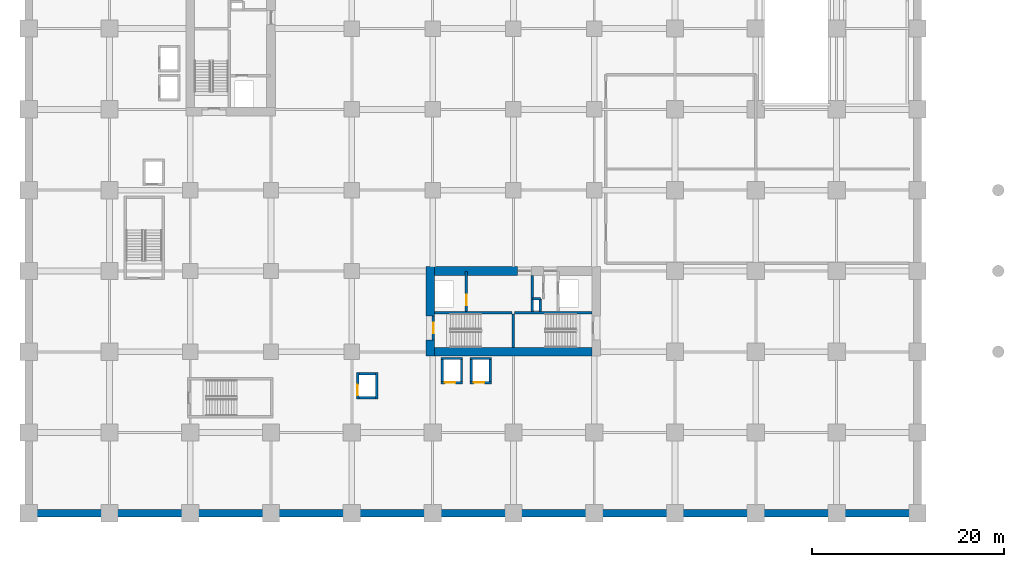
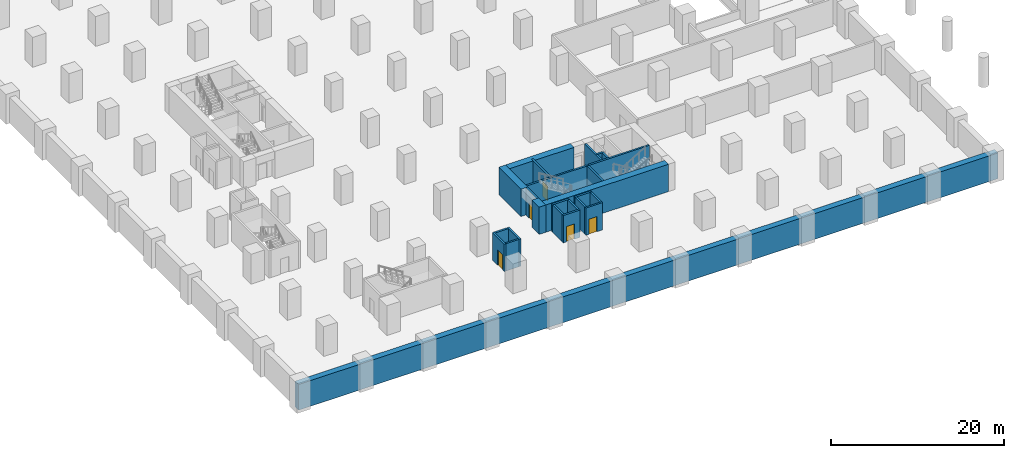
# One storey, part 6 of 13: 25 walls, 5 doors, 5 openings.
"""IFC4 building model written with IfcOpenShell, lengths in metres."""

from ifc_helpers import new_model, si_unit, direction, frame, frame_2d, origin, place, context, subcontext, project, spatial, rectangle, extrude, material, layer, layer_set, type_object, element, fill, save


model = new_model("IFC4")

# Units and contexts
model_context = context("Model", 3, precision=1e-05, world=origin(), true_north=direction((0.0, 1.0)))
body_context = subcontext(model_context, "Body", "Model", "MODEL_VIEW")
ifc_project = project(units=[si_unit("LENGTHUNIT", "METRE"), si_unit("AREAUNIT", "SQUARE_METRE"), si_unit("VOLUMEUNIT", "CUBIC_METRE"), si_unit("PLANEANGLEUNIT", "RADIAN"), si_unit("MASSUNIT", "GRAM", prefix="KILO")], contexts=[model_context])

# Site, building, storey
site_placement = place(None, origin())
site = spatial("IfcSite", under=ifc_project, at=site_placement, CompositionType="ELEMENT")
building_placement = place(site_placement, origin())
building = spatial("IfcBuilding", under=site, at=building_placement, Name="Koriwani Terraces Tower", CompositionType="ELEMENT")
storey_placement = place(building_placement, frame((0.0, 0.0, -4.199951171875)))
storey = spatial("IfcBuildingStorey", under=building, at=storey_placement, Name="B01", CompositionType="ELEMENT", Elevation=-4.199951171875)

# Walls
ifc_material_1 = material(Name="Concrete C50/60", Category="concrete")
ifc_layer_1 = layer(ifc_material_1, 0.800048828125, Name="Concrete C50/60")
ifc_layer_set_1 = layer_set([ifc_layer_1], Name="Concrete C50/60")
wall_type_1 = type_object("IfcWallType", Name="WALL_BASEMENT_RET_800", PredefinedType="USERDEFINED", material=ifc_layer_set_1)
wall_1_placement = place(storey_placement, frame((-0.39990234375, 0.0, 0.0), z_axis=(0.0, 0.0, 1.0), x_axis=(1.0, 0.0, 0.0)))
element("IfcWall", 1, at=wall_1_placement, inside=storey, type_object=wall_type_1, Name="B01 Perimeter Retaining Wall (S)", ObjectType="RETAININGWALL", PredefinedType="USERDEFINED", context=body_context, shape_type="SweptSolid", body=[
    extrude(rectangle(XDim=93.199951171875, YDim=0.800048828125, at=frame_2d((46.60009765625, 0.0))), origin(), (0.0, 0.0, 1.0), 3.619873046875),
])
ifc_material_2 = material(Name="Concrete C60/75", Category="concrete")
ifc_layer_2 = layer(ifc_material_2, 0.89990234375, Name="Concrete C60/75")
ifc_layer_set_2 = layer_set([ifc_layer_2], Name="Concrete C60/75")
wall_type_2 = type_object("IfcWallType", Name="WALL_CORE_RC_900", PredefinedType="SHEAR", material=ifc_layer_set_2)
wall_2_placement = place(storey_placement, frame((41.75, 16.35009765625, 0.0), z_axis=(0.0, 0.0, 1.0), x_axis=(0.0, 1.0, 0.0)))
element("IfcWall", 2, at=wall_2_placement, inside=storey, type_object=wall_type_2, Name="B01 East Split Core Shear Wall W1", PredefinedType="SHEAR", context=body_context, shape_type="SweptSolid", body=[
    extrude(rectangle(XDim=1.64990234375, YDim=0.89990234375, at=frame_2d((0.824951171875, 0.0))), origin(), (0.0, 0.0, 1.0), 3.849853515625),
])
wall_3_placement = place(storey_placement, frame((41.75, 20.5, 0.0), z_axis=(0.0, 0.0, 1.0), x_axis=(0.0, 1.0, 0.0)))
element("IfcWall", 3, at=wall_3_placement, inside=storey, type_object=wall_type_2, Name="B01 East Split Core Shear Wall W2", PredefinedType="SHEAR", context=body_context, shape_type="SweptSolid", body=[
    extrude(rectangle(XDim=5.14990234375, YDim=0.89990234375, at=frame_2d((2.574951171875, 0.0))), origin(), (0.0, 0.0, 1.0), 3.849853515625),
])
wall_4_placement = place(storey_placement, frame((42.199951171875, 16.800048828125, 0.0), z_axis=(0.0, 0.0, 1.0), x_axis=(1.0, 0.0, 0.0)))
element("IfcWall", 4, at=wall_4_placement, inside=storey, type_object=wall_type_2, Name="B01 East Split Core Shear Wall S1", PredefinedType="SHEAR", context=body_context, shape_type="SweptSolid", body=[
    extrude(rectangle(XDim=16.35009765625, YDim=0.89990234375, at=frame_2d((8.175048828125, 0.0))), origin(), (0.0, 0.0, 1.0), 3.849853515625),
])
wall_5_placement = place(storey_placement, frame((42.199951171875, 25.199951171875, 0.0), z_axis=(0.0, 0.0, 1.0), x_axis=(1.0, 0.0, 0.0)))
element("IfcWall", 5, at=wall_5_placement, inside=storey, type_object=wall_type_2, Name="B01 East Split Core Shear Wall N1", PredefinedType="SHEAR", context=body_context, shape_type="SweptSolid", body=[
    extrude(rectangle(XDim=8.60009765625, YDim=0.89990234375, at=frame_2d((4.300048828125, 0.0))), origin(), (0.0, 0.0, 1.0), 3.849853515625),
])
ifc_material_3 = material(Name="Concrete C40/50", Category="concrete")
ifc_layer_3 = layer(ifc_material_3, 0.25, Name="Concrete C40/50")
ifc_layer_set_3 = layer_set([ifc_layer_3], Name="Concrete C40/50")
wall_type_3 = type_object("IfcWallType", Name="WALL_SHAFT_RATED_250", PredefinedType="SOLIDWALL", material=ifc_layer_set_3)
for number, where, z_axis, x_axis, name in (
    (6, (42.199951171875, 20.875, 0.0), (0.0, 0.0, 1.0), (1.0, 0.0, 0.0), "B01 East Split Core Web Wall MID1"),
    (7, (50.5, 20.875, 0.0), (0.0, 0.0, 1.0), (1.0, 0.0, 0.0), "B01 East Split Core Web Wall MID2"),
):
    element("IfcWall", number, at=place(storey_placement, frame(where, z_axis=z_axis, x_axis=x_axis)), inside=storey, type_object=wall_type_3, Name=name, PredefinedType="SOLIDWALL", context=body_context, shape_type="SweptSolid", body=[
        extrude(rectangle(XDim=8.050048828125, YDim=0.25, at=frame_2d((4.02490234375, 0.0))), origin(), (0.0, 0.0, 1.0), 3.849853515625),
    ])
wall_6_placement = place(storey_placement, frame((50.375, 17.25, 0.0), z_axis=(0.0, 0.0, 1.0), x_axis=(0.0, 1.0, 0.0)))
element("IfcWall", 8, at=wall_6_placement, inside=storey, type_object=wall_type_3, Name="B01 East Split Core Stair Dividing Wall", PredefinedType="SOLIDWALL", context=body_context, shape_type="SweptSolid", body=[
    extrude(rectangle(XDim=3.5, YDim=0.25, at=frame_2d((1.75, 0.0))), origin(), (0.0, 0.0, 1.0), 3.849853515625),
])

# Wall, opening, door
wall_7_placement = place(storey_placement, frame((42.074951171875, 18.0, 0.0), z_axis=(0.0, 0.0, 1.0), x_axis=(0.0, 1.0, 0.0)))
wall_7 = element("IfcWall", 9, at=wall_7_placement, inside=storey, type_object=wall_type_3, Name="B01 Interior Wall WIN-CE-B01-STW", PredefinedType="SOLIDWALL", context=body_context, shape_type="SweptSolid", body=[
    extrude(rectangle(XDim=2.5, YDim=0.25, at=frame_2d((1.25, 0.0))), origin(), (0.0, 0.0, 1.0), 3.849853515625),
])
opening_1_placement = place(wall_7_placement, frame((0.699951171875, 0.0, 0.0)))
opening_1 = element("IfcOpeningElement", 10, at=opening_1_placement, cuts=wall_7, Name="Opening D-03", PredefinedType="OPENING", context=body_context, shape_type="SweptSolid", body=[
    extrude(rectangle(XDim=1.10009765625, YDim=2.14990234375, at=frame_2d((0.550048828125, 1.074951171875))), frame((0.0, 0.135009765625, 0.0), z_axis=(0.0, -1.0, 0.0), x_axis=(1.0, 0.0, 0.0)), (0.0, 0.0, 1.0), 0.27001953125),
])
ifc_material_4 = material(Name="Steel ASTM A572 Grade 50", Category="steel")
door_type_1 = type_object("IfcDoorType", Name="DOOR_STAIR_FIRE_1100X2150", OperationType="NOTDEFINED", PredefinedType="DOOR", material=ifc_material_4)
door_1_placement = place(opening_1_placement, origin())
door_1 = element("IfcDoor", 11, at=door_1_placement, inside=storey, type_object=door_type_1, Name="B01 Exit Stair ST-E1 Door", OperationType="SINGLE_SWING_RIGHT", OverallHeight=2.14990234375, OverallWidth=1.10009765625, PredefinedType="DOOR", context=body_context, shape_type="SweptSolid", body=[
    extrude(rectangle(XDim=1.10009765625, YDim=2.14990234375, at=frame_2d((0.550048828125, 1.074951171875))), frame((0.0, 0.02490234375, 0.0), z_axis=(0.0, -1.0, 0.0), x_axis=(1.0, 0.0, 0.0)), (0.0, 0.0, 1.0), 0.050048828125),
])
fill(opening_1, door_1)

wall_8_placement = place(storey_placement, frame((45.5, 21.0, 0.0), z_axis=(0.0, 0.0, 1.0), x_axis=(0.0, 1.0, 0.0)))
wall_8 = element("IfcWall", 12, at=wall_8_placement, inside=storey, type_object=wall_type_3, Name="B01 Interior Wall WIN-CE-B01-FE", PredefinedType="SOLIDWALL", context=body_context, shape_type="SweptSolid", body=[
    extrude(rectangle(XDim=4.14990234375, YDim=0.25, at=frame_2d((2.074951171875, 0.0))), origin(), (0.0, 0.0, 1.0), 3.849853515625),
])
opening_2_placement = place(wall_8_placement, frame((0.64990234375, 0.0, 0.0)))
opening_2 = element("IfcOpeningElement", 13, at=opening_2_placement, cuts=wall_8, Name="Opening LD-01", PredefinedType="OPENING", context=body_context, shape_type="SweptSolid", body=[
    extrude(rectangle(XDim=1.10009765625, YDim=2.14990234375, at=frame_2d((0.550048828125, 1.074951171875))), frame((0.0, 0.135009765625, 0.0), z_axis=(0.0, -1.0, 0.0), x_axis=(1.0, 0.0, 0.0)), (0.0, 0.0, 1.0), 0.27001953125),
])
door_type_2 = type_object("IfcDoorType", Name="DOOR_LIFT_LANDING_1100X2200", OperationType="NOTDEFINED", PredefinedType="DOOR", material=ifc_material_4)
door_2_placement = place(opening_2_placement, origin())
door_2 = element("IfcDoor", 14, at=door_2_placement, inside=storey, type_object=door_type_2, Name="B01 Firefighting Lift FE-02 Landing Door", OperationType="SLIDING_TO_LEFT", OverallHeight=2.14990234375, OverallWidth=1.10009765625, PredefinedType="DOOR", context=body_context, shape_type="SweptSolid", body=[
    extrude(rectangle(XDim=1.10009765625, YDim=2.14990234375, at=frame_2d((0.550048828125, 1.074951171875))), frame((0.0, 0.02490234375, 0.0), z_axis=(0.0, -1.0, 0.0), x_axis=(1.0, 0.0, 0.0)), (0.0, 0.0, 1.0), 0.050048828125),
])
fill(opening_2, door_2)

# Walls
wall_9_placement = place(storey_placement, frame((52.340087890625, 21.0, 0.0), z_axis=(0.0, 0.0, 1.0), x_axis=(0.0, 1.0, 0.0)))
element("IfcWall", 15, at=wall_9_placement, inside=storey, type_object=wall_type_3, Name="B01 Interior Wall WIN-CE-B01-FFE", PredefinedType="SOLIDWALL", context=body_context, shape_type="SweptSolid", body=[
    extrude(rectangle(XDim=3.75, YDim=0.25, at=frame_2d((1.875, 0.0))), origin(), (0.0, 0.0, 1.0), 3.849853515625),
])
wall_10_placement = place(storey_placement, frame((53.199951171875, 21.0, 0.0), z_axis=(0.0, 0.0, 1.0), x_axis=(0.0, 1.0, 0.0)))
element("IfcWall", 16, at=wall_10_placement, inside=storey, type_object=wall_type_3, Name="B01 Interior Wall WIN-CE-B01-RS1", PredefinedType="SOLIDWALL", context=body_context, shape_type="SweptSolid", body=[
    extrude(rectangle(XDim=1.300048828125, YDim=0.25, at=frame_2d((0.64990234375, 0.0))), origin(), (0.0, 0.0, 1.0), 3.849853515625),
])
wall_11_placement = place(storey_placement, frame((52.360107421875, 22.300048828125, 0.0), z_axis=(0.0, 0.0, 1.0), x_axis=(1.0, 0.0, 0.0)))
element("IfcWall", 17, at=wall_11_placement, inside=storey, type_object=wall_type_3, Name="B01 Interior Wall WIN-CE-B01-RS2", PredefinedType="SOLIDWALL", context=body_context, shape_type="SweptSolid", body=[
    extrude(rectangle(XDim=0.83984375, YDim=0.25, at=frame_2d((0.419921875, 0.0))), origin(), (0.0, 0.0, 1.0), 3.849853515625),
])

# Wall, opening, door
wall_12_placement = place(storey_placement, frame((34.199951171875, 11.875, 0.0), z_axis=(0.0, 0.0, 1.0), x_axis=(0.0, 1.0, 0.0)))
wall_12 = element("IfcWall", 18, at=wall_12_placement, inside=storey, type_object=wall_type_3, Name="B01 Interior Wall WIN-LF-PE-P2-B01-F", PredefinedType="SOLIDWALL", context=body_context, shape_type="SweptSolid", body=[
    extrude(rectangle(XDim=2.75, YDim=0.25, at=frame_2d((1.375, 0.0))), origin(), (0.0, 0.0, 1.0), 3.849853515625),
])
opening_3_placement = place(wall_12_placement, frame((0.39990234375, 0.0, 0.0)))
opening_3 = element("IfcOpeningElement", 19, at=opening_3_placement, cuts=wall_12, Name="Opening LD-01", PredefinedType="OPENING", context=body_context, shape_type="SweptSolid", body=[
    extrude(rectangle(XDim=1.10009765625, YDim=2.14990234375, at=frame_2d((0.550048828125, 1.074951171875))), frame((0.0, 0.135009765625, 0.0), z_axis=(0.0, -1.0, 0.0), x_axis=(1.0, 0.0, 0.0)), (0.0, 0.0, 1.0), 0.27001953125),
])
door_3_placement = place(opening_3_placement, origin())
door_3 = element("IfcDoor", 20, at=door_3_placement, inside=storey, type_object=door_type_2, Name="B01 Passenger Lift PE-P2 Landing Door", OperationType="SLIDING_TO_LEFT", OverallHeight=2.14990234375, OverallWidth=1.10009765625, PredefinedType="DOOR", context=body_context, shape_type="SweptSolid", body=[
    extrude(rectangle(XDim=1.10009765625, YDim=2.14990234375, at=frame_2d((0.550048828125, 1.074951171875))), frame((0.0, 0.02490234375, 0.0), z_axis=(0.0, -1.0, 0.0), x_axis=(1.0, 0.0, 0.0)), (0.0, 0.0, 1.0), 0.050048828125),
])
fill(opening_3, door_3)

# Walls
wall_13_placement = place(storey_placement, frame((36.199951171875, 11.875, 0.0), z_axis=(0.0, 0.0, 1.0), x_axis=(0.0, 1.0, 0.0)))
element("IfcWall", 21, at=wall_13_placement, inside=storey, type_object=wall_type_3, Name="B01 Interior Wall WIN-LF-PE-P2-B01-B", PredefinedType="SOLIDWALL", context=body_context, shape_type="SweptSolid", body=[
    extrude(rectangle(XDim=2.75, YDim=0.25, at=frame_2d((1.375, 0.0))), origin(), (0.0, 0.0, 1.0), 3.849853515625),
])
for number, where, z_axis, x_axis, name in (
    (22, (34.324951171875, 12.0, 0.0), (0.0, 0.0, 1.0), (1.0, 0.0, 0.0), "B01 Interior Wall WIN-LF-PE-P2-B01-S"),
    (23, (34.324951171875, 14.5, 0.0), (0.0, 0.0, 1.0), (1.0, 0.0, 0.0), "B01 Interior Wall WIN-LF-PE-P2-B01-N"),
):
    element("IfcWall", number, at=place(storey_placement, frame(where, z_axis=z_axis, x_axis=x_axis)), inside=storey, type_object=wall_type_3, Name=name, PredefinedType="SOLIDWALL", context=body_context, shape_type="SweptSolid", body=[
        extrude(rectangle(XDim=1.75, YDim=0.25, at=frame_2d((0.875, 0.0))), origin(), (0.0, 0.0, 1.0), 3.849853515625),
    ])

# Wall, opening, door
wall_14_placement = place(storey_placement, frame((42.875, 13.60009765625, 0.0), z_axis=(0.0, 0.0, 1.0), x_axis=(1.0, 0.0, 0.0)))
wall_14 = element("IfcWall", 24, at=wall_14_placement, inside=storey, type_object=wall_type_3, Name="B01 Interior Wall WIN-LF-PE-L3-B01-F", PredefinedType="SOLIDWALL", context=body_context, shape_type="SweptSolid", body=[
    extrude(rectangle(XDim=2.25, YDim=0.25, at=frame_2d((1.125, 0.0))), origin(), (0.0, 0.0, 1.0), 3.849853515625),
])
opening_4_placement = place(wall_14_placement, frame((0.39990234375, 0.0, 0.0)))
opening_4 = element("IfcOpeningElement", 25, at=opening_4_placement, cuts=wall_14, Name="Opening LD-01", PredefinedType="OPENING", context=body_context, shape_type="SweptSolid", body=[
    extrude(rectangle(XDim=1.10009765625, YDim=2.14990234375, at=frame_2d((0.550048828125, 1.074951171875))), frame((0.0, 0.135009765625, 0.0), z_axis=(0.0, -1.0, 0.0), x_axis=(1.0, 0.0, 0.0)), (0.0, 0.0, 1.0), 0.27001953125),
])
door_4_placement = place(opening_4_placement, origin())
door_4 = element("IfcDoor", 26, at=door_4_placement, inside=storey, type_object=door_type_2, Name="B01 Passenger Lift PE-L3 Landing Door", OperationType="SLIDING_TO_LEFT", OverallHeight=2.14990234375, OverallWidth=1.10009765625, PredefinedType="DOOR", context=body_context, shape_type="SweptSolid", body=[
    extrude(rectangle(XDim=1.10009765625, YDim=2.14990234375, at=frame_2d((0.550048828125, 1.074951171875))), frame((0.0, 0.02490234375, 0.0), z_axis=(0.0, -1.0, 0.0), x_axis=(1.0, 0.0, 0.0)), (0.0, 0.0, 1.0), 0.050048828125),
])
fill(opening_4, door_4)

# Walls
for number, where, z_axis, x_axis, name in (
    (27, (42.875, 16.10009765625, 0.0), (0.0, 0.0, 1.0), (1.0, 0.0, 0.0), "B01 Interior Wall WIN-LF-PE-L3-B01-B"),
    (28, (43.0, 13.72509765625, 0.0), (0.0, 0.0, 1.0), (0.0, 1.0, 0.0), "B01 Interior Wall WIN-LF-PE-L3-B01-W"),
    (29, (45.0, 13.72509765625, 0.0), (0.0, 0.0, 1.0), (0.0, 1.0, 0.0), "B01 Interior Wall WIN-LF-PE-L3-B01-E"),
):
    element("IfcWall", number, at=place(storey_placement, frame(where, z_axis=z_axis, x_axis=x_axis)), inside=storey, type_object=wall_type_3, Name=name, PredefinedType="SOLIDWALL", context=body_context, shape_type="SweptSolid", body=[
        extrude(rectangle(XDim=2.25, YDim=0.25, at=frame_2d((1.125, 0.0))), origin(), (0.0, 0.0, 1.0), 3.849853515625),
    ])

# Wall, opening, door
wall_15_placement = place(storey_placement, frame((45.875, 13.60009765625, 0.0), z_axis=(0.0, 0.0, 1.0), x_axis=(1.0, 0.0, 0.0)))
wall_15 = element("IfcWall", 30, at=wall_15_placement, inside=storey, type_object=wall_type_3, Name="B01 Interior Wall WIN-LF-PE-L4-B01-F", PredefinedType="SOLIDWALL", context=body_context, shape_type="SweptSolid", body=[
    extrude(rectangle(XDim=2.25, YDim=0.25, at=frame_2d((1.125, 0.0))), origin(), (0.0, 0.0, 1.0), 3.849853515625),
])
opening_5_placement = place(wall_15_placement, frame((0.39990234375, 0.0, 0.0)))
opening_5 = element("IfcOpeningElement", 31, at=opening_5_placement, cuts=wall_15, Name="Opening LD-01", PredefinedType="OPENING", context=body_context, shape_type="SweptSolid", body=[
    extrude(rectangle(XDim=1.10009765625, YDim=2.14990234375, at=frame_2d((0.550048828125, 1.074951171875))), frame((0.0, 0.135009765625, 0.0), z_axis=(0.0, -1.0, 0.0), x_axis=(1.0, 0.0, 0.0)), (0.0, 0.0, 1.0), 0.27001953125),
])
door_5_placement = place(opening_5_placement, origin())
door_5 = element("IfcDoor", 32, at=door_5_placement, inside=storey, type_object=door_type_2, Name="B01 Passenger Lift PE-L4 Landing Door", OperationType="SLIDING_TO_LEFT", OverallHeight=2.14990234375, OverallWidth=1.10009765625, PredefinedType="DOOR", context=body_context, shape_type="SweptSolid", body=[
    extrude(rectangle(XDim=1.10009765625, YDim=2.14990234375, at=frame_2d((0.550048828125, 1.074951171875))), frame((0.0, 0.02490234375, 0.0), z_axis=(0.0, -1.0, 0.0), x_axis=(1.0, 0.0, 0.0)), (0.0, 0.0, 1.0), 0.050048828125),
])
fill(opening_5, door_5)

# Walls
for number, where, z_axis, x_axis, name in (
    (33, (45.875, 16.10009765625, 0.0), (0.0, 0.0, 1.0), (1.0, 0.0, 0.0), "B01 Interior Wall WIN-LF-PE-L4-B01-B"),
    (34, (46.0, 13.72509765625, 0.0), (0.0, 0.0, 1.0), (0.0, 1.0, 0.0), "B01 Interior Wall WIN-LF-PE-L4-B01-W"),
    (35, (48.0, 13.72509765625, 0.0), (0.0, 0.0, 1.0), (0.0, 1.0, 0.0), "B01 Interior Wall WIN-LF-PE-L4-B01-E"),
):
    element("IfcWall", number, at=place(storey_placement, frame(where, z_axis=z_axis, x_axis=x_axis)), inside=storey, type_object=wall_type_3, Name=name, PredefinedType="SOLIDWALL", context=body_context, shape_type="SweptSolid", body=[
        extrude(rectangle(XDim=2.25, YDim=0.25, at=frame_2d((1.125, 0.0))), origin(), (0.0, 0.0, 1.0), 3.849853515625),
    ])

save(model, "model.ifc")
